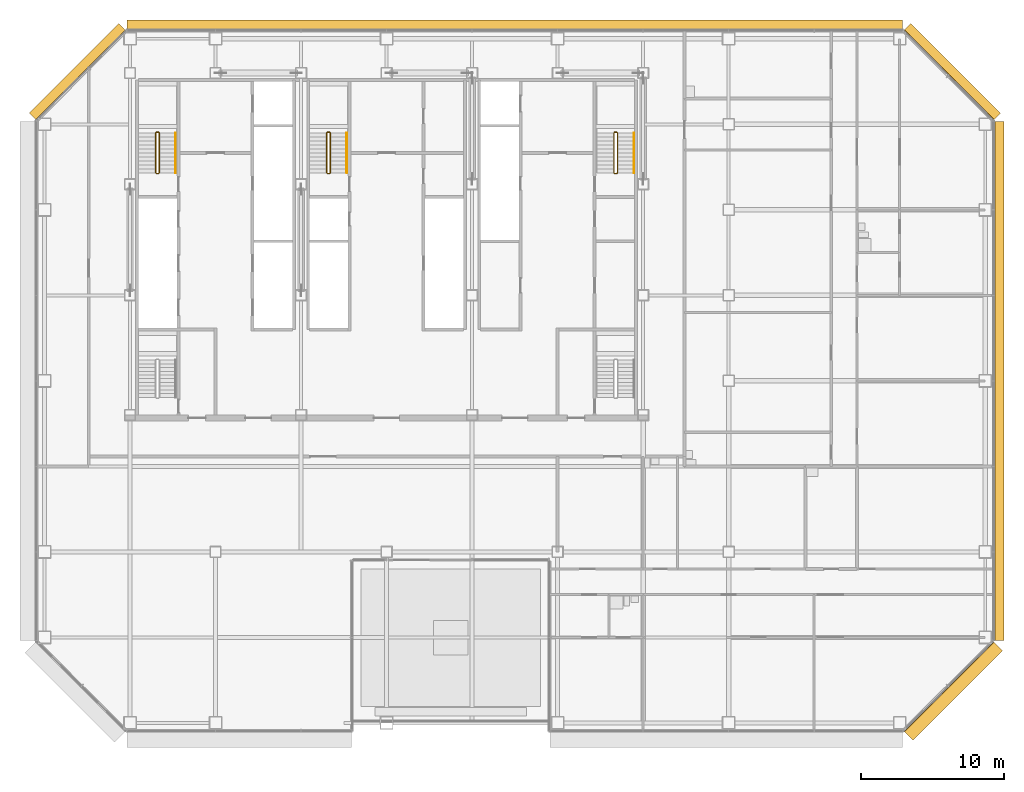
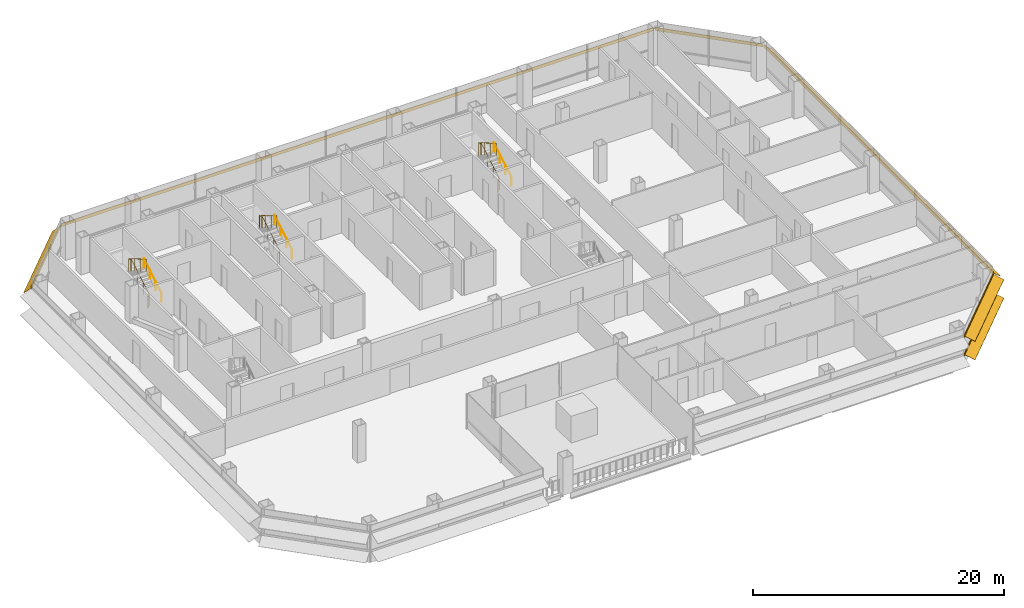
# One storey, part 25 of 27: 6 railings, 5 shading devices.
"""IFC4 building model written with IfcOpenShell, lengths in metres."""

from ifc_helpers import new_model, si_unit, direction, frame, origin, origin_2d, place, context, subcontext, project, spatial, polyline, circle, outline, composite_profile, extrude, material, type_object, element, save


model = new_model("IFC4")

# Units and contexts
model_context = context("Model", 3, precision=1e-05, world=origin(), true_north=direction((0.0, 1.0)))
body_context = subcontext(model_context, "Body", "Model", "MODEL_VIEW")
ifc_project = project(units=[si_unit("LENGTHUNIT", "METRE"), si_unit("AREAUNIT", "SQUARE_METRE"), si_unit("VOLUMEUNIT", "CUBIC_METRE"), si_unit("PLANEANGLEUNIT", "RADIAN"), si_unit("MASSUNIT", "GRAM", prefix="KILO")], contexts=[model_context])

# Site, building, storey
site_placement = place(None, origin())
site = spatial("IfcSite", under=ifc_project, at=site_placement, CompositionType="ELEMENT")
building_placement = place(site_placement, origin())
building = spatial("IfcBuilding", under=site, at=building_placement, Name="Sorahane Residences", CompositionType="ELEMENT")
storey_placement = place(building_placement, frame((0.0, 0.0, 82.199951171875)))
storey = spatial("IfcBuildingStorey", under=building, at=storey_placement, Name="L17", CompositionType="ELEMENT", Elevation=82.199951171875)

# Shading devices
ifc_material_1 = material(Name="Terracotta anodised aluminium", Category="masonry")
shading_device_type_1 = type_object("IfcShadingDeviceType", Name="Louvre sunshade blade E terracotta aluminium 700", PredefinedType="JALOUSIE", material=ifc_material_1)
shading_device_1_placement = place(storey_placement, frame((66.60009765625, 5.801513671875, 2.699951171875), z_axis=(0.0, 1.0, 0.0), x_axis=(-1.0, 0.0, 0.0)))
element("IfcShadingDevice", 1, at=shading_device_1_placement, inside=storey, type_object=shading_device_type_1, Name="Louvre sunshade blade bank E L17 E2", PredefinedType="JALOUSIE", context=body_context, shape_type="SweptSolid", body=[
    extrude(outline(polyline([(-0.719970703125, -0.49365234375), (-0.719970703125, -0.523681640625), (-0.080078125, -0.05859375), (-0.080078125, -0.14990234375), (-0.02001953125, -0.14990234375), (-0.02001953125, -0.014892578125), (-0.02001953125, 0.014892578125), (-0.02001953125, 0.14990234375), (-0.080078125, 0.14990234375), (-0.080078125, -0.028564453125), (-0.719970703125, -0.49365234375)])), origin(), (0.0, 0.0, 1.0), 36.39697265625),
])
ifc_material_2 = material(Name="Terracotta anodised aluminium", Category="masonry")
shading_device_type_2 = type_object("IfcShadingDeviceType", Name="Louvre sunshade blade N terracotta aluminium 700", PredefinedType="JALOUSIE", material=ifc_material_2)
shading_device_2_placement = place(storey_placement, frame((60.198486328125, 48.60009765625, 2.699951171875), z_axis=(-1.0, 0.0, 0.0), x_axis=(0.0, -1.0, 0.0)))
element("IfcShadingDevice", 2, at=shading_device_2_placement, inside=storey, type_object=shading_device_type_2, Name="Louvre sunshade blade bank N L17 N1", PredefinedType="JALOUSIE", context=body_context, shape_type="SweptSolid", body=[
    extrude(outline(polyline([(-0.719970703125, -0.660888671875), (-0.719970703125, -0.69091796875), (-0.080078125, -0.072998046875), (-0.080078125, -0.14990234375), (-0.02001953125, -0.14990234375), (-0.02001953125, -0.014892578125), (-0.02001953125, 0.014892578125), (-0.02001953125, 0.14990234375), (-0.080078125, 0.14990234375), (-0.080078125, -0.04296875), (-0.719970703125, -0.660888671875)])), origin(), (0.0, 0.0, 1.0), 54.39697265625),
])
ifc_material_3 = material(Name="Terracotta anodised aluminium", Category="masonry")
shading_device_type_3 = type_object("IfcShadingDeviceType", Name="Louvre sunshade blade NE terracotta aluminium 700", PredefinedType="JALOUSIE", material=ifc_material_3)
shading_device_3_placement = place(storey_placement, frame((66.564697265625, 42.283935546875, 2.699951171875), z_axis=(-0.707106781187, 0.707106781187, 0.0), x_axis=(-0.707106781187, -0.707106781187, 0.0)))
element("IfcShadingDevice", 3, at=shading_device_3_placement, inside=storey, type_object=shading_device_type_3, Name="Louvre sunshade blade bank NE L17 NE1", PredefinedType="JALOUSIE", context=body_context, shape_type="SweptSolid", body=[
    extrude(outline(polyline([(-0.719970703125, -0.572509765625), (-0.719970703125, -0.602294921875), (-0.080078125, -0.065185546875), (-0.080078125, -0.14990234375), (-0.02001953125, -0.14990234375), (-0.02001953125, -0.014892578125), (-0.02001953125, 0.014892578125), (-0.02001953125, 0.14990234375), (-0.080078125, 0.14990234375), (-0.080078125, -0.035400390625), (-0.719970703125, -0.572509765625)])), origin(), (0.0, 0.0, 1.0), 8.88232421875),
])
ifc_material_4 = material(Name="Terracotta anodised aluminium", Category="masonry")
shading_device_type_4 = type_object("IfcShadingDeviceType", Name="Louvre sunshade blade NW terracotta aluminium 700", PredefinedType="JALOUSIE", material=ifc_material_4)
shading_device_4_placement = place(storey_placement, frame((5.716064453125, 48.564697265625, 2.699951171875), z_axis=(-0.707106781187, -0.707106781187, 0.0), x_axis=(0.707106781187, -0.707106781187, 0.0)))
element("IfcShadingDevice", 4, at=shading_device_4_placement, inside=storey, type_object=shading_device_type_4, Name="Louvre sunshade blade bank NW L17 NW1", PredefinedType="JALOUSIE", context=body_context, shape_type="SweptSolid", body=[
    extrude(outline(polyline([(-0.719970703125, -0.660888671875), (-0.719970703125, -0.69091796875), (-0.080078125, -0.072998046875), (-0.080078125, -0.14990234375), (-0.02001953125, -0.14990234375), (-0.02001953125, -0.014892578125), (-0.02001953125, 0.014892578125), (-0.02001953125, 0.14990234375), (-0.080078125, 0.14990234375), (-0.080078125, -0.04296875), (-0.719970703125, -0.660888671875)])), origin(), (0.0, 0.0, 1.0), 8.88232421875),
])
ifc_material_5 = material(Name="Terracotta anodised aluminium", Category="masonry")
shading_device_type_5 = type_object("IfcShadingDeviceType", Name="Louvre sunshade blade SE terracotta aluminium 900", PredefinedType="JALOUSIE", material=ifc_material_5)
shading_device_5_placement = place(storey_placement, frame((60.283935546875, -0.564697265625, 0.900146484375), z_axis=(0.707106781187, 0.707106781187, 0.0), x_axis=(-0.707106781187, 0.707106781187, 0.0)))
element("IfcShadingDevice", 5, at=shading_device_5_placement, inside=storey, type_object=shading_device_type_5, Name="Louvre sunshade blade bank SE L17 SE1", PredefinedType="JALOUSIE", context=body_context, shape_type="SweptSolid", body=[
    extrude(composite_profile([outline(polyline([(-0.919921875, -0.3486328125), (-0.919921875, -0.378662109375), (-0.080078125, -0.039306640625), (-0.080078125, -0.14990234375), (-0.02001953125, -0.14990234375), (-0.02001953125, -0.014892578125), (-0.02001953125, 0.014892578125), (-0.02001953125, 0.14990234375), (-0.080078125, 0.14990234375), (-0.080078125, -0.00927734375), (-0.919921875, -0.3486328125)])), outline(polyline([(-0.919921875, 1.451416015625), (-0.919921875, 1.42138671875), (-0.080078125, 1.7607421875), (-0.080078125, 1.64990234375), (-0.02001953125, 1.64990234375), (-0.02001953125, 1.784912109375), (-0.02001953125, 1.81494140625), (-0.02001953125, 1.949951171875), (-0.080078125, 1.949951171875), (-0.080078125, 1.790771484375), (-0.919921875, 1.451416015625)]))]), origin(), (0.0, 0.0, 1.0), 8.88232421875),
])

# Railings
ifc_material_6 = material(Name="Steel Q355B", Category="steel")
railing_type_1 = type_object("IfcRailingType", Name="Stair guard 1200 Steel Q355B", PredefinedType="GUARDRAIL", material=ifc_material_6)
railing_1_placement = place(storey_placement, frame((7.85009765625, 38.550048828125, 0.0)))
element("IfcRailing", 6, at=railing_1_placement, inside=storey, type_object=railing_type_1, Name="L17 S1 stair guard 1", PredefinedType="GUARDRAIL", context=body_context, shape_type="SweptSolid", body=[
    extrude(circle(Radius=0.02392578125, at=origin_2d()), frame((0.0, 0.0, 1.17578125), z_axis=(1.0, 0.0, 0.0), x_axis=(0.0, 1.0, 0.0)), (0.0, 0.0, 1.0), 0.14990234375),
    extrude(circle(Radius=0.02392578125, at=origin_2d()), frame((0.14990234375, 0.0, 1.17578125), z_axis=(0.280808744504, 0.280808744504, 0.917765164963), x_axis=(-0.707106781187, 0.707106781187, 0.0)), (0.0, 0.0, 1.0), 0.17822265625),
    extrude(circle(Radius=0.02392578125, at=origin_2d()), frame((0.199951171875, 0.050048828125, 1.33935546875), z_axis=(0.0, 0.863341702679, 0.504619762213), x_axis=(-1.0, 0.0, 0.0)), (0.0, 0.0, 1.0), 3.242919921875),
    extrude(circle(Radius=0.02392578125, at=origin_2d()), frame((0.199951171875, 2.849853515625, 2.97607421875), z_axis=(-0.707106781187, 0.707106781187, 0.0), x_axis=(-0.707106781187, -0.707106781187, 0.0)), (0.0, 0.0, 1.0), 0.07080078125),
    extrude(circle(Radius=0.02392578125, at=origin_2d()), frame((0.14990234375, 2.89990234375, 2.97607421875), z_axis=(-1.0, 0.0, 0.0), x_axis=(0.0, -1.0, 0.0)), (0.0, 0.0, 1.0), 0.14990234375),
    extrude(circle(Radius=0.02392578125, at=origin_2d()), frame((0.0, 2.89990234375, 2.97607421875), z_axis=(-0.280808744504, -0.280808744504, 0.917765164963), x_axis=(0.707106781187, -0.707106781187, 0.0)), (0.0, 0.0, 1.0), 0.17822265625),
    extrude(circle(Radius=0.02392578125, at=origin_2d()), frame((-0.050048828125, 2.849853515625, 3.1396484375), z_axis=(0.0, -0.863341702679, 0.504619762213), x_axis=(1.0, 0.0, 0.0)), (0.0, 0.0, 1.0), 3.242919921875),
    extrude(circle(Radius=0.02099609375, at=origin_2d()), origin(), (0.0, 0.0, 1.0), 1.15185546875),
    extrude(circle(Radius=0.02099609375, at=origin_2d()), frame((0.14990234375, 0.0, 0.0)), (0.0, 0.0, 1.0), 1.15185546875),
    extrude(circle(Radius=0.02099609375, at=origin_2d()), frame((0.199951171875, 0.050048828125, 0.16357421875)), (0.0, 0.0, 1.0), 1.15185546875),
    extrude(circle(Radius=0.02099609375, at=origin_2d()), frame((0.199951171875, 0.9833984375, 0.708984375)), (0.0, 0.0, 1.0), 1.15185546875),
    extrude(circle(Radius=0.02099609375, at=origin_2d()), frame((0.199951171875, 1.91650390625, 1.254638671875)), (0.0, 0.0, 1.0), 1.15185546875),
    extrude(circle(Radius=0.02099609375, at=origin_2d()), frame((0.199951171875, 2.849853515625, 1.800048828125)), (0.0, 0.0, 1.0), 1.15185546875),
    extrude(circle(Radius=0.02099609375, at=origin_2d()), frame((0.14990234375, 2.89990234375, 1.800048828125)), (0.0, 0.0, 1.0), 1.15185546875),
    extrude(circle(Radius=0.02099609375, at=origin_2d()), frame((0.0, 2.89990234375, 1.800048828125)), (0.0, 0.0, 1.0), 1.15185546875),
    extrude(circle(Radius=0.02099609375, at=origin_2d()), frame((-0.050048828125, 2.849853515625, 1.963623046875)), (0.0, 0.0, 1.0), 1.15185546875),
    extrude(circle(Radius=0.02099609375, at=origin_2d()), frame((-0.050048828125, 1.91650390625, 2.509033203125)), (0.0, 0.0, 1.0), 1.15185546875),
    extrude(circle(Radius=0.02099609375, at=origin_2d()), frame((-0.050048828125, 0.9833984375, 3.0546875)), (0.0, 0.0, 1.0), 1.15185546875),
    extrude(circle(Radius=0.02099609375, at=origin_2d()), frame((-0.050048828125, 0.050048828125, 3.60009765625)), (0.0, 0.0, 1.0), 1.15185546875),
])
railing_2_placement = place(storey_placement, frame((40.0, 38.550048828125, 0.0)))
element("IfcRailing", 7, at=railing_2_placement, inside=storey, type_object=railing_type_1, Name="L17 S2 stair guard 1", PredefinedType="GUARDRAIL", context=body_context, shape_type="SweptSolid", body=[
    extrude(circle(Radius=0.02392578125, at=origin_2d()), frame((0.0, 0.0, 1.17578125), z_axis=(1.0, 0.0, 0.0), x_axis=(0.0, 1.0, 0.0)), (0.0, 0.0, 1.0), 0.14990234375),
    extrude(circle(Radius=0.02392578125, at=origin_2d()), frame((0.14990234375, 0.0, 1.17578125), z_axis=(0.280808744504, 0.280808744504, 0.917765164963), x_axis=(-0.707106781187, 0.707106781187, 0.0)), (0.0, 0.0, 1.0), 0.17822265625),
    extrude(circle(Radius=0.02392578125, at=origin_2d()), frame((0.199951171875, 0.050048828125, 1.33935546875), z_axis=(0.0, 0.863341702679, 0.504619762213), x_axis=(-1.0, 0.0, 0.0)), (0.0, 0.0, 1.0), 3.242919921875),
    extrude(circle(Radius=0.02392578125, at=origin_2d()), frame((0.199951171875, 2.849853515625, 2.97607421875), z_axis=(-0.707106781187, 0.707106781187, 0.0), x_axis=(-0.707106781187, -0.707106781187, 0.0)), (0.0, 0.0, 1.0), 0.07080078125),
    extrude(circle(Radius=0.02392578125, at=origin_2d()), frame((0.14990234375, 2.89990234375, 2.97607421875), z_axis=(-1.0, 0.0, 0.0), x_axis=(0.0, -1.0, 0.0)), (0.0, 0.0, 1.0), 0.14990234375),
    extrude(circle(Radius=0.02392578125, at=origin_2d()), frame((0.0, 2.89990234375, 2.97607421875), z_axis=(-0.280808744504, -0.280808744504, 0.917765164963), x_axis=(0.707106781187, -0.707106781187, 0.0)), (0.0, 0.0, 1.0), 0.17822265625),
    extrude(circle(Radius=0.02392578125, at=origin_2d()), frame((-0.050048828125, 2.849853515625, 3.1396484375), z_axis=(0.0, -0.863341702679, 0.504619762213), x_axis=(1.0, 0.0, 0.0)), (0.0, 0.0, 1.0), 3.242919921875),
    extrude(circle(Radius=0.02099609375, at=origin_2d()), origin(), (0.0, 0.0, 1.0), 1.15185546875),
    extrude(circle(Radius=0.02099609375, at=origin_2d()), frame((0.14990234375, 0.0, 0.0)), (0.0, 0.0, 1.0), 1.15185546875),
    extrude(circle(Radius=0.02099609375, at=origin_2d()), frame((0.199951171875, 0.050048828125, 0.16357421875)), (0.0, 0.0, 1.0), 1.15185546875),
    extrude(circle(Radius=0.02099609375, at=origin_2d()), frame((0.199951171875, 0.9833984375, 0.708984375)), (0.0, 0.0, 1.0), 1.15185546875),
    extrude(circle(Radius=0.02099609375, at=origin_2d()), frame((0.199951171875, 1.91650390625, 1.254638671875)), (0.0, 0.0, 1.0), 1.15185546875),
    extrude(circle(Radius=0.02099609375, at=origin_2d()), frame((0.199951171875, 2.849853515625, 1.800048828125)), (0.0, 0.0, 1.0), 1.15185546875),
    extrude(circle(Radius=0.02099609375, at=origin_2d()), frame((0.14990234375, 2.89990234375, 1.800048828125)), (0.0, 0.0, 1.0), 1.15185546875),
    extrude(circle(Radius=0.02099609375, at=origin_2d()), frame((0.0, 2.89990234375, 1.800048828125)), (0.0, 0.0, 1.0), 1.15185546875),
    extrude(circle(Radius=0.02099609375, at=origin_2d()), frame((-0.050048828125, 2.849853515625, 1.963623046875)), (0.0, 0.0, 1.0), 1.15185546875),
    extrude(circle(Radius=0.02099609375, at=origin_2d()), frame((-0.050048828125, 1.91650390625, 2.509033203125)), (0.0, 0.0, 1.0), 1.15185546875),
    extrude(circle(Radius=0.02099609375, at=origin_2d()), frame((-0.050048828125, 0.9833984375, 3.0546875)), (0.0, 0.0, 1.0), 1.15185546875),
    extrude(circle(Radius=0.02099609375, at=origin_2d()), frame((-0.050048828125, 0.050048828125, 3.60009765625)), (0.0, 0.0, 1.0), 1.15185546875),
])
railing_3_placement = place(storey_placement, frame((19.85009765625, 38.550048828125, 0.0)))
element("IfcRailing", 8, at=railing_3_placement, inside=storey, type_object=railing_type_1, Name="L17 S3 stair guard 1", PredefinedType="GUARDRAIL", context=body_context, shape_type="SweptSolid", body=[
    extrude(circle(Radius=0.02392578125, at=origin_2d()), frame((0.0, 0.0, 1.17578125), z_axis=(1.0, 0.0, 0.0), x_axis=(0.0, 1.0, 0.0)), (0.0, 0.0, 1.0), 0.14990234375),
    extrude(circle(Radius=0.02392578125, at=origin_2d()), frame((0.14990234375, 0.0, 1.17578125), z_axis=(0.280808744504, 0.280808744504, 0.917765164963), x_axis=(-0.707106781187, 0.707106781187, 0.0)), (0.0, 0.0, 1.0), 0.17822265625),
    extrude(circle(Radius=0.02392578125, at=origin_2d()), frame((0.199951171875, 0.050048828125, 1.33935546875), z_axis=(0.0, 0.863341702679, 0.504619762213), x_axis=(-1.0, 0.0, 0.0)), (0.0, 0.0, 1.0), 3.242919921875),
    extrude(circle(Radius=0.02392578125, at=origin_2d()), frame((0.199951171875, 2.849853515625, 2.97607421875), z_axis=(-0.707106781187, 0.707106781187, 0.0), x_axis=(-0.707106781187, -0.707106781187, 0.0)), (0.0, 0.0, 1.0), 0.07080078125),
    extrude(circle(Radius=0.02392578125, at=origin_2d()), frame((0.14990234375, 2.89990234375, 2.97607421875), z_axis=(-1.0, 0.0, 0.0), x_axis=(0.0, -1.0, 0.0)), (0.0, 0.0, 1.0), 0.14990234375),
    extrude(circle(Radius=0.02392578125, at=origin_2d()), frame((0.0, 2.89990234375, 2.97607421875), z_axis=(-0.280808744504, -0.280808744504, 0.917765164963), x_axis=(0.707106781187, -0.707106781187, 0.0)), (0.0, 0.0, 1.0), 0.17822265625),
    extrude(circle(Radius=0.02392578125, at=origin_2d()), frame((-0.050048828125, 2.849853515625, 3.1396484375), z_axis=(0.0, -0.863341702679, 0.504619762213), x_axis=(1.0, 0.0, 0.0)), (0.0, 0.0, 1.0), 3.242919921875),
    extrude(circle(Radius=0.02099609375, at=origin_2d()), origin(), (0.0, 0.0, 1.0), 1.15185546875),
    extrude(circle(Radius=0.02099609375, at=origin_2d()), frame((0.14990234375, 0.0, 0.0)), (0.0, 0.0, 1.0), 1.15185546875),
    extrude(circle(Radius=0.02099609375, at=origin_2d()), frame((0.199951171875, 0.050048828125, 0.16357421875)), (0.0, 0.0, 1.0), 1.15185546875),
    extrude(circle(Radius=0.02099609375, at=origin_2d()), frame((0.199951171875, 0.9833984375, 0.708984375)), (0.0, 0.0, 1.0), 1.15185546875),
    extrude(circle(Radius=0.02099609375, at=origin_2d()), frame((0.199951171875, 1.91650390625, 1.254638671875)), (0.0, 0.0, 1.0), 1.15185546875),
    extrude(circle(Radius=0.02099609375, at=origin_2d()), frame((0.199951171875, 2.849853515625, 1.800048828125)), (0.0, 0.0, 1.0), 1.15185546875),
    extrude(circle(Radius=0.02099609375, at=origin_2d()), frame((0.14990234375, 2.89990234375, 1.800048828125)), (0.0, 0.0, 1.0), 1.15185546875),
    extrude(circle(Radius=0.02099609375, at=origin_2d()), frame((0.0, 2.89990234375, 1.800048828125)), (0.0, 0.0, 1.0), 1.15185546875),
    extrude(circle(Radius=0.02099609375, at=origin_2d()), frame((-0.050048828125, 2.849853515625, 1.963623046875)), (0.0, 0.0, 1.0), 1.15185546875),
    extrude(circle(Radius=0.02099609375, at=origin_2d()), frame((-0.050048828125, 1.91650390625, 2.509033203125)), (0.0, 0.0, 1.0), 1.15185546875),
    extrude(circle(Radius=0.02099609375, at=origin_2d()), frame((-0.050048828125, 0.9833984375, 3.0546875)), (0.0, 0.0, 1.0), 1.15185546875),
    extrude(circle(Radius=0.02099609375, at=origin_2d()), frame((-0.050048828125, 0.050048828125, 3.60009765625)), (0.0, 0.0, 1.0), 1.15185546875),
])
ifc_material_7 = material(Name="Steel Q355B", Category="steel")
railing_type_2 = type_object("IfcRailingType", Name="Stair handrail 900 Steel Q355B", PredefinedType="HANDRAIL", material=ifc_material_7)
for number, where, name in (
    (9, (9.199951171875, 38.60009765625, 0.16357421875), "L17 S1 stair handrail 1"),
    (10, (41.35009765625, 38.60009765625, 0.16357421875), "L17 S2 stair handrail 1"),
    (11, (21.199951171875, 38.60009765625, 0.16357421875), "L17 S3 stair handrail 1"),
):
    element("IfcRailing", number, at=place(storey_placement, frame(where)), inside=storey, type_object=railing_type_2, Name=name, PredefinedType="HANDRAIL", context=body_context, shape_type="SweptSolid", body=[
        extrude(circle(Radius=0.02392578125, at=origin_2d()), frame((0.0, 0.0, 0.8759765625), z_axis=(0.0, 0.863341702679, 0.504619762213), x_axis=(-1.0, 0.0, 0.0)), (0.0, 0.0, 1.0), 3.242919921875),
        extrude(circle(Radius=0.02099609375, at=origin_2d()), origin(), (0.0, 0.0, 1.0), 0.851806640625),
        extrude(circle(Radius=0.02099609375, at=origin_2d()), frame((0.0, 0.933349609375, 0.54541015625)), (0.0, 0.0, 1.0), 0.851806640625),
        extrude(circle(Radius=0.02099609375, at=origin_2d()), frame((0.0, 1.866455078125, 1.091064453125)), (0.0, 0.0, 1.0), 0.851806640625),
        extrude(circle(Radius=0.02099609375, at=origin_2d()), frame((0.0, 2.7998046875, 1.636474609375)), (0.0, 0.0, 1.0), 0.851806640625),
    ])

save(model, "model.ifc")
